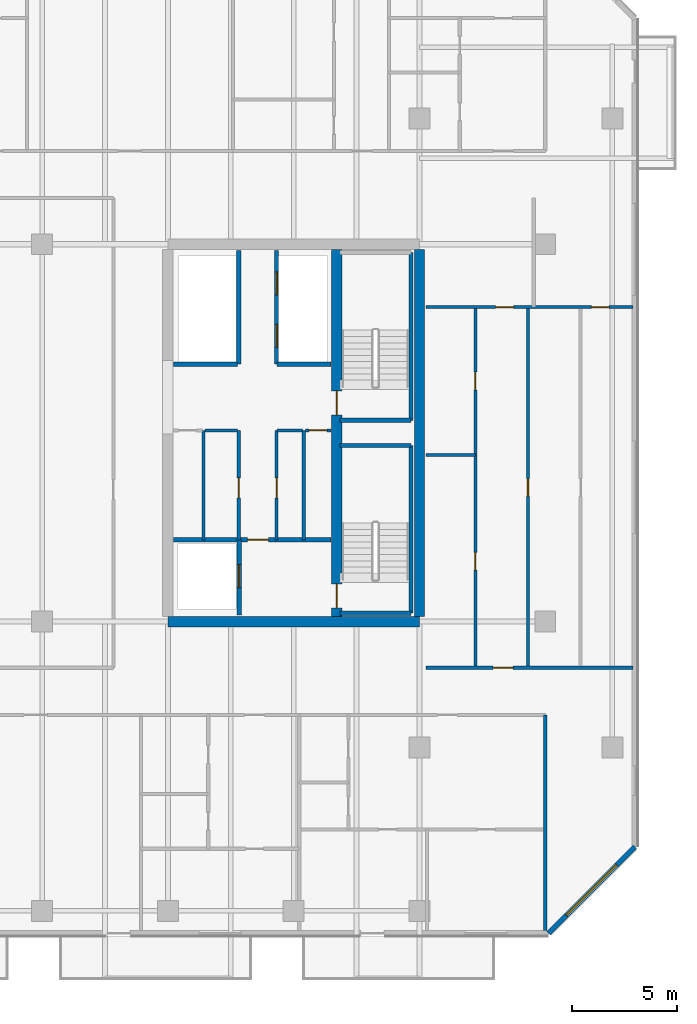
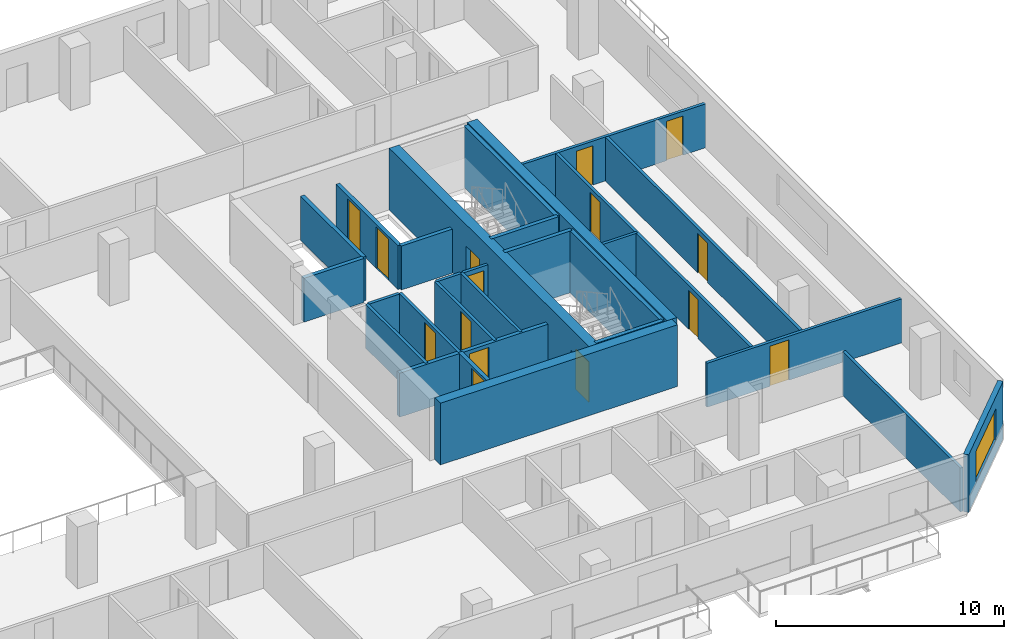
# One storey, part 15 of 23: 28 walls, 15 doors, 1 window, 16 openings.
"""IFC4 building model written with IfcOpenShell, lengths in metres."""

from ifc_helpers import new_model, si_unit, direction, frame, frame_2d, origin, place, context, subcontext, project, spatial, rectangle, extrude, material, layer, layer_set, type_object, element, fill, save


model = new_model("IFC4")

# Units and contexts
model_context = context("Model", 3, precision=1e-05, world=origin(), true_north=direction((0.0, 1.0)))
body_context = subcontext(model_context, "Body", "Model", "MODEL_VIEW")
ifc_project = project(units=[si_unit("LENGTHUNIT", "METRE"), si_unit("AREAUNIT", "SQUARE_METRE"), si_unit("VOLUMEUNIT", "CUBIC_METRE"), si_unit("PLANEANGLEUNIT", "RADIAN"), si_unit("MASSUNIT", "GRAM", prefix="KILO")], contexts=[model_context])

# Site, building, storey
site_placement = place(None, origin())
site = spatial("IfcSite", under=ifc_project, at=site_placement, CompositionType="ELEMENT")
building_placement = place(site_placement, origin())
building = spatial("IfcBuilding", under=site, at=building_placement, Name="Tanjung Sevakor Pilgrim Tower", CompositionType="ELEMENT")
storey_placement = place(building_placement, frame((0.0, 0.0, 85.469970703125)))
storey = spatial("IfcBuildingStorey", under=building, at=storey_placement, Name="L23", CompositionType="ELEMENT", Elevation=85.469970703125)

# Walls
ifc_material_1 = material(Name="Concrete C60/75", Category="concrete")
ifc_layer_1 = layer(ifc_material_1, 0.5)
ifc_layer_set_1 = layer_set([ifc_layer_1], Name="WALL-CW-500")
wall_type_1 = type_object("IfcWallType", Name="WALL-CW-500", PredefinedType="SHEAR", material=ifc_layer_set_1)
wall_1_placement = place(storey_placement, frame((78.0, 24.60009765625, 0.0), z_axis=(0.0, 0.0, 1.0), x_axis=(1.0, 0.0, 0.0)))
element("IfcWall", 1, at=wall_1_placement, inside=storey, type_object=wall_type_1, Name="L23 E Core South Shear Wall", PredefinedType="SHEAR", context=body_context, shape_type="SweptSolid", body=[
    extrude(rectangle(XDim=12.0, YDim=0.5, at=frame_2d((6.0, 0.0))), origin(), (0.0, 0.0, 1.0), 3.300048828125),
])
wall_2_placement = place(storey_placement, frame((90.0, 24.85009765625, 0.0), z_axis=(0.0, 0.0, 1.0), x_axis=(0.0, 1.0, 0.0)))
element("IfcWall", 2, at=wall_2_placement, inside=storey, type_object=wall_type_1, Name="L23 E Core Outer Shear Wall", PredefinedType="SHEAR", context=body_context, shape_type="SweptSolid", body=[
    extrude(rectangle(XDim=17.5, YDim=0.5, at=frame_2d((8.75, 0.0))), origin(), (0.0, 0.0, 1.0), 3.300048828125),
])

# Wall, openings, doors
wall_3_placement = place(storey_placement, frame((86.050048828125, 24.85009765625, 0.0), z_axis=(0.0, 0.0, 1.0), x_axis=(0.0, 1.0, 0.0)))
wall_3 = element("IfcWall", 3, at=wall_3_placement, inside=storey, type_object=wall_type_1, Name="L23 E Core Stair Spine Wall", PredefinedType="SHEAR", context=body_context, shape_type="SweptSolid", body=[
    extrude(rectangle(XDim=17.5, YDim=0.5, at=frame_2d((8.75, 0.0))), origin(), (0.0, 0.0, 1.0), 3.300048828125),
])
opening_1_placement = place(wall_3_placement, frame((0.39990234375, 0.0, 0.0)))
opening_1 = element("IfcOpeningElement", 4, at=opening_1_placement, cuts=wall_3, Name="Opening ID-ST1", PredefinedType="OPENING", context=body_context, shape_type="SweptSolid", body=[
    extrude(rectangle(XDim=1.14990234375, YDim=2.14990234375, at=frame_2d((0.574951171875, 1.074951171875))), frame((0.0, 0.260009765625, 0.0), z_axis=(0.0, -1.0, 0.0), x_axis=(1.0, 0.0, 0.0)), (0.0, 0.0, 1.0), 0.52001953125),
])
opening_2_placement = place(wall_3_placement, frame((9.60009765625, 0.0, 0.0)))
opening_2 = element("IfcOpeningElement", 5, at=opening_2_placement, cuts=wall_3, Name="Opening ID-ST1", PredefinedType="OPENING", context=body_context, shape_type="SweptSolid", body=[
    extrude(rectangle(XDim=1.14990234375, YDim=2.14990234375, at=frame_2d((0.574951171875, 1.074951171875))), frame((0.0, 0.260009765625, 0.0), z_axis=(0.0, -1.0, 0.0), x_axis=(1.0, 0.0, 0.0)), (0.0, 0.0, 1.0), 0.52001953125),
])
ifc_material_2 = material(Name="Fire-Rated Steel S355J2", Category="steel")
door_type_1 = type_object("IfcDoorType", Name="DT-FIRE-1150", OperationType="NOTDEFINED", PredefinedType="DOOR", material=ifc_material_2)
door_1_placement = place(opening_1_placement, origin())
door_1 = element("IfcDoor", 6, at=door_1_placement, inside=storey, type_object=door_type_1, Name="L23 TS-E1 Stair Fire Door", OperationType="SINGLE_SWING_LEFT", OverallHeight=2.14990234375, OverallWidth=1.14990234375, PredefinedType="DOOR", context=body_context, shape_type="SweptSolid", body=[
    extrude(rectangle(XDim=1.14990234375, YDim=2.14990234375, at=frame_2d((0.574951171875, 1.074951171875))), frame((0.0, 0.02490234375, 0.0), z_axis=(0.0, -1.0, 0.0), x_axis=(1.0, 0.0, 0.0)), (0.0, 0.0, 1.0), 0.050048828125),
])
fill(opening_1, door_1)
door_2_placement = place(opening_2_placement, origin())
door_2 = element("IfcDoor", 7, at=door_2_placement, inside=storey, type_object=door_type_1, Name="L23 TS-E2 Stair Fire Door", OperationType="SINGLE_SWING_RIGHT", OverallHeight=2.14990234375, OverallWidth=1.14990234375, PredefinedType="DOOR", context=body_context, shape_type="SweptSolid", body=[
    extrude(rectangle(XDim=1.14990234375, YDim=2.14990234375, at=frame_2d((0.574951171875, 1.074951171875))), frame((0.0, 0.02490234375, 0.0), z_axis=(0.0, -1.0, 0.0), x_axis=(1.0, 0.0, 0.0)), (0.0, 0.0, 1.0), 0.050048828125),
])
fill(opening_2, door_2)

# Wall
ifc_material_3 = material(Name="Concrete C40/50", Category="concrete")
ifc_layer_2 = layer(ifc_material_3, 0.14990234375)
ifc_layer_set_2 = layer_set([ifc_layer_2], Name="WT-COMP-150")
wall_type_2 = type_object("IfcWallType", Name="WT-COMP-150", PredefinedType="SOLIDWALL", material=ifc_layer_set_2)
wall_4_placement = place(storey_placement, frame((84.47998046875, 28.5, 0.0), z_axis=(0.0, 0.0, 1.0), x_axis=(0.0, 1.0, 0.0)))
element("IfcWall", 8, at=wall_4_placement, inside=storey, type_object=wall_type_2, Name="L23 Partition IW-L23-017", PredefinedType="SOLIDWALL", context=body_context, shape_type="SweptSolid", body=[
    extrude(rectangle(XDim=5.219970703125, YDim=0.14990234375, at=frame_2d((2.60986328125, 0.0))), origin(), (0.0, 0.0, 1.0), 2.35009765625),
])

# Wall, opening, door
wall_5_placement = place(storey_placement, frame((84.550048828125, 33.719970703125, 0.0), z_axis=(0.0, 0.0, 1.0), x_axis=(1.0, 0.0, 0.0)))
wall_5 = element("IfcWall", 9, at=wall_5_placement, inside=storey, type_object=wall_type_2, Name="L23 Partition IW-L23-018", PredefinedType="SOLIDWALL", context=body_context, shape_type="SweptSolid", body=[
    extrude(rectangle(XDim=1.22998046875, YDim=0.14990234375, at=frame_2d((0.614990234375, 0.0))), origin(), (0.0, 0.0, 1.0), 2.35009765625),
])
opening_3_placement = place(wall_5_placement, frame((0.179931640625, 0.0, 0.0)))
opening_3 = element("IfcOpeningElement", 10, at=opening_3_placement, cuts=wall_5, Name="Opening ID-FD3", PredefinedType="OPENING", context=body_context, shape_type="SweptSolid", body=[
    extrude(rectangle(XDim=0.85009765625, YDim=2.10009765625, at=frame_2d((0.425048828125, 1.050048828125))), frame((0.0, 0.0849609375, 0.0), z_axis=(0.0, -1.0, 0.0), x_axis=(1.0, 0.0, 0.0)), (0.0, 0.0, 1.0), 0.169921875),
])
ifc_material_4 = material(Name="Fire-Rated Timber", Category="wood")
door_type_2 = type_object("IfcDoorType", Name="DT-FIRE-850", OperationType="NOTDEFINED", PredefinedType="DOOR", material=ifc_material_4)
door_3_placement = place(opening_3_placement, origin())
door_3 = element("IfcDoor", 11, at=door_3_placement, inside=storey, type_object=door_type_2, Name="L23 Cleaner Store Door", OperationType="SINGLE_SWING_LEFT", OverallHeight=2.10009765625, OverallWidth=0.85009765625, PredefinedType="DOOR", context=body_context, shape_type="SweptSolid", body=[
    extrude(rectangle(XDim=0.85009765625, YDim=2.10009765625, at=frame_2d((0.425048828125, 1.050048828125))), frame((0.0, 0.02490234375, 0.0), z_axis=(0.0, -1.0, 0.0), x_axis=(1.0, 0.0, 0.0)), (0.0, 0.0, 1.0), 0.050048828125),
])
fill(opening_3, door_3)

# Wall
wall_6_placement = place(storey_placement, frame((83.199951171875, 33.719970703125, 0.0), z_axis=(0.0, 0.0, 1.0), x_axis=(1.0, 0.0, 0.0)))
element("IfcWall", 12, at=wall_6_placement, inside=storey, type_object=wall_type_2, Name="L23 Partition IW-L23-019", PredefinedType="SOLIDWALL", context=body_context, shape_type="SweptSolid", body=[
    extrude(rectangle(XDim=1.219970703125, YDim=0.14990234375, at=frame_2d((0.60986328125, 0.0))), origin(), (0.0, 0.0, 1.0), 2.35009765625),
])

# Wall, opening, door
wall_7_placement = place(storey_placement, frame((83.179931640625, 28.5, 0.0), z_axis=(0.0, 0.0, 1.0), x_axis=(0.0, 1.0, 0.0)))
wall_7 = element("IfcWall", 13, at=wall_7_placement, inside=storey, type_object=wall_type_2, Name="L23 Partition IW-L23-020", PredefinedType="SOLIDWALL", context=body_context, shape_type="SweptSolid", body=[
    extrude(rectangle(XDim=5.219970703125, YDim=0.14990234375, at=frame_2d((2.60986328125, 0.0))), origin(), (0.0, 0.0, 1.0), 2.35009765625),
])
opening_4_placement = place(wall_7_placement, frame((2.0, 0.0, 0.0)))
opening_4 = element("IfcOpeningElement", 14, at=opening_4_placement, cuts=wall_7, Name="Opening ID-FD2", PredefinedType="OPENING", context=body_context, shape_type="SweptSolid", body=[
    extrude(rectangle(XDim=0.949951171875, YDim=2.14990234375, at=frame_2d((0.47509765625, 1.074951171875))), frame((0.0, 0.0849609375, 0.0), z_axis=(0.0, -1.0, 0.0), x_axis=(1.0, 0.0, 0.0)), (0.0, 0.0, 1.0), 0.169921875),
])
ifc_material_5 = material(Name="Fire-Rated Timber", Category="wood")
door_type_3 = type_object("IfcDoorType", Name="DT-FIRE-950", OperationType="NOTDEFINED", PredefinedType="DOOR", material=ifc_material_5)
door_4_placement = place(opening_4_placement, origin())
door_4 = element("IfcDoor", 15, at=door_4_placement, inside=storey, type_object=door_type_3, Name="L23 Housekeeping Pantry Door", OperationType="SINGLE_SWING_RIGHT", OverallHeight=2.14990234375, OverallWidth=0.949951171875, PredefinedType="DOOR", context=body_context, shape_type="SweptSolid", body=[
    extrude(rectangle(XDim=0.949951171875, YDim=2.14990234375, at=frame_2d((0.47509765625, 1.074951171875))), frame((0.0, 0.02490234375, 0.0), z_axis=(0.0, -1.0, 0.0), x_axis=(1.0, 0.0, 0.0)), (0.0, 0.0, 1.0), 0.050048828125),
])
fill(opening_4, door_4)

# Walls
wall_8_placement = place(storey_placement, frame((79.699951171875, 28.5, 0.0), z_axis=(0.0, 0.0, 1.0), x_axis=(0.0, 1.0, 0.0)))
element("IfcWall", 16, at=wall_8_placement, inside=storey, type_object=wall_type_2, Name="L23 Partition IW-L23-021", PredefinedType="SOLIDWALL", context=body_context, shape_type="SweptSolid", body=[
    extrude(rectangle(XDim=5.219970703125, YDim=0.14990234375, at=frame_2d((2.60986328125, 0.0))), origin(), (0.0, 0.0, 1.0), 2.35009765625),
])
wall_9_placement = place(storey_placement, frame((79.760009765625, 33.719970703125, 0.0), z_axis=(0.0, 0.0, 1.0), x_axis=(1.0, 0.0, 0.0)))
element("IfcWall", 17, at=wall_9_placement, inside=storey, type_object=wall_type_2, Name="L23 Partition IW-L23-022", PredefinedType="SOLIDWALL", context=body_context, shape_type="SweptSolid", body=[
    extrude(rectangle(XDim=1.56005859375, YDim=0.14990234375, at=frame_2d((0.780029296875, 0.0))), origin(), (0.0, 0.0, 1.0), 2.35009765625),
])

# Wall, opening, door
wall_10_placement = place(storey_placement, frame((81.3798828125, 28.5, 0.0), z_axis=(0.0, 0.0, 1.0), x_axis=(0.0, 1.0, 0.0)))
wall_10 = element("IfcWall", 18, at=wall_10_placement, inside=storey, type_object=wall_type_2, Name="L23 Partition IW-L23-024", PredefinedType="SOLIDWALL", context=body_context, shape_type="SweptSolid", body=[
    extrude(rectangle(XDim=5.219970703125, YDim=0.14990234375, at=frame_2d((2.60986328125, 0.0))), origin(), (0.0, 0.0, 1.0), 2.35009765625),
])
opening_5_placement = place(wall_10_placement, frame((2.0, 0.0, 0.0)))
opening_5 = element("IfcOpeningElement", 19, at=opening_5_placement, cuts=wall_10, Name="Opening ID-FD2", PredefinedType="OPENING", context=body_context, shape_type="SweptSolid", body=[
    extrude(rectangle(XDim=0.949951171875, YDim=2.14990234375, at=frame_2d((0.47509765625, 1.074951171875))), frame((0.0, 0.0849609375, 0.0), z_axis=(0.0, -1.0, 0.0), x_axis=(1.0, 0.0, 0.0)), (0.0, 0.0, 1.0), 0.169921875),
])
door_5_placement = place(opening_5_placement, origin())
door_5 = element("IfcDoor", 20, at=door_5_placement, inside=storey, type_object=door_type_3, Name="L23 Accessible WC Door", OperationType="SINGLE_SWING_RIGHT", OverallHeight=2.14990234375, OverallWidth=0.949951171875, PredefinedType="DOOR", context=body_context, shape_type="SweptSolid", body=[
    extrude(rectangle(XDim=0.949951171875, YDim=2.14990234375, at=frame_2d((0.47509765625, 1.074951171875))), frame((0.0, 0.02490234375, 0.0), z_axis=(0.0, -1.0, 0.0), x_axis=(1.0, 0.0, 0.0)), (0.0, 0.0, 1.0), 0.050048828125),
])
fill(opening_5, door_5)

wall_11_placement = place(storey_placement, frame((90.320068359375, 22.39990234375, 0.0), z_axis=(0.0, 0.0, 1.0), x_axis=(1.0, 0.0, 0.0)))
wall_11 = element("IfcWall", 21, at=wall_11_placement, inside=storey, type_object=wall_type_2, Name="L23 Partition IW-L23-044", PredefinedType="SOLIDWALL", context=body_context, shape_type="SweptSolid", body=[
    extrude(rectangle(XDim=9.869873046875, YDim=0.14990234375, at=frame_2d((4.93505859375, 0.0))), origin(), (0.0, 0.0, 1.0), 2.35009765625),
])
opening_6_placement = place(wall_11_placement, frame((3.193359375, 0.0, 0.0)))
opening_6 = element("IfcOpeningElement", 22, at=opening_6_placement, cuts=wall_11, Name="Opening ID-FD2", PredefinedType="OPENING", context=body_context, shape_type="SweptSolid", body=[
    extrude(rectangle(XDim=0.949951171875, YDim=2.14990234375, at=frame_2d((0.47509765625, 1.074951171875))), frame((0.0, 0.0849609375, 0.0), z_axis=(0.0, -1.0, 0.0), x_axis=(1.0, 0.0, 0.0)), (0.0, 0.0, 1.0), 0.169921875),
])
door_6_placement = place(opening_6_placement, origin())
door_6 = element("IfcDoor", 23, at=door_6_placement, inside=storey, type_object=door_type_3, Name="Suite Entrance", OperationType="SINGLE_SWING_RIGHT", OverallHeight=2.14990234375, OverallWidth=0.949951171875, PredefinedType="DOOR", context=body_context, shape_type="SweptSolid", body=[
    extrude(rectangle(XDim=0.949951171875, YDim=2.14990234375, at=frame_2d((0.47509765625, 1.074951171875))), frame((0.0, 0.02490234375, 0.0), z_axis=(0.0, -1.0, 0.0), x_axis=(1.0, 0.0, 0.0)), (0.0, 0.0, 1.0), 0.050048828125),
])
fill(opening_6, door_6)

# Wall
wall_12_placement = place(storey_placement, frame((96.0, 9.85009765625, 0.0), z_axis=(0.0, 0.0, 1.0), x_axis=(0.0, 1.0, 0.0)))
element("IfcWall", 24, at=wall_12_placement, inside=storey, type_object=wall_type_2, Name="L23 Partition IW-L23-064", PredefinedType="SOLIDWALL", context=body_context, shape_type="SweptSolid", body=[
    extrude(rectangle(XDim=10.2998046875, YDim=0.14990234375, at=frame_2d((5.14990234375, 0.0))), origin(), (0.0, 0.0, 1.0), 2.35009765625),
])

# Wall, opening, window
ifc_material_6 = material(Name="Precast concrete C45/55", Category="concrete")
ifc_layer_3 = layer(ifc_material_6, 0.25)
ifc_layer_set_3 = layer_set([ifc_layer_3], Name="WT-EW-STN3")
wall_type_3 = type_object("IfcWallType", Name="WT-EW-STN3", PredefinedType="SOLIDWALL", material=ifc_layer_set_3)
wall_13_placement = place(storey_placement, frame((96.148193359375, 9.72509765625, 0.0), z_axis=(0.0, 0.0, 1.0), x_axis=(0.707106781187, 0.707106781187, 0.0)))
wall_13 = element("IfcWall", 25, at=wall_13_placement, inside=storey, type_object=wall_type_3, Name="L23 MAIN Sculpted Corner Wall 5", PredefinedType="SOLIDWALL", context=body_context, shape_type="SweptSolid", body=[
    extrude(rectangle(XDim=5.8359375, YDim=0.25, at=frame_2d((2.91796875, 0.0))), origin(), (0.0, 0.0, 1.0), 3.080078125),
])
opening_7_placement = place(wall_13_placement, frame((1.218017578125, 0.0, 0.780029296875)))
opening_7 = element("IfcOpeningElement", 26, at=opening_7_placement, cuts=wall_13, Name="Opening WN-CHM-1660", PredefinedType="OPENING", context=body_context, shape_type="SweptSolid", body=[
    extrude(rectangle(XDim=3.39990234375, YDim=1.659912109375, at=frame_2d((1.699951171875, 0.830078125))), frame((0.0, 0.135009765625, 0.0), z_axis=(0.0, -1.0, 0.0), x_axis=(1.0, 0.0, 0.0)), (0.0, 0.0, 1.0), 0.27001953125),
])
ifc_material_7 = material(Name="Thermally Broken Aluminium and Low-E Glass", Category="aluminium")
window_type = type_object("IfcWindowType", Name="WTYP-WN-CHM-1660", PartitioningType="DOUBLE_PANEL_VERTICAL", PredefinedType="WINDOW", material=ifc_material_7)
window_placement = place(opening_7_placement, origin())
window = element("IfcWindow", 27, at=window_placement, inside=storey, type_object=window_type, Name="L23 Facade Window 01", OverallHeight=1.659912109375, OverallWidth=3.39990234375, PartitioningType="SINGLE_PANEL", PredefinedType="WINDOW", context=body_context, shape_type="SweptSolid", body=[
    extrude(rectangle(XDim=3.39990234375, YDim=1.659912109375, at=frame_2d((1.699951171875, 0.830078125))), frame((0.0, 0.030029296875, 0.0), z_axis=(0.0, -1.0, 0.0), x_axis=(1.0, 0.0, 0.0)), (0.0, 0.0, 1.0), 0.06005859375),
])
fill(opening_7, window)

# Walls
ifc_material_8 = material(Name="Concrete C40/50", Category="concrete")
ifc_layer_4 = layer(ifc_material_8, 0.199951171875)
ifc_layer_set_4 = layer_set([ifc_layer_4], Name="WT-FIRE-200")
wall_type_4 = type_object("IfcWallType", Name="WT-FIRE-200", PredefinedType="SOLIDWALL", material=ifc_layer_set_4)
wall_14_placement = place(storey_placement, frame((86.199951171875, 25.0, 0.0), z_axis=(0.0, 0.0, 1.0), x_axis=(1.0, 0.0, 0.0)))
element("IfcWall", 28, at=wall_14_placement, inside=storey, type_object=wall_type_4, Name="L23 TS-E1 Shaft Wall 1", PredefinedType="SOLIDWALL", context=body_context, shape_type="SweptSolid", body=[
    extrude(rectangle(XDim=3.400146484375, YDim=0.199951171875, at=frame_2d((1.7001953125, 0.0))), origin(), (0.0, 0.0, 1.0), 3.300048828125),
])
wall_15_placement = place(storey_placement, frame((89.60009765625, 25.0, 0.0), z_axis=(0.0, 0.0, 1.0), x_axis=(0.0, 1.0, 0.0)))
element("IfcWall", 29, at=wall_15_placement, inside=storey, type_object=wall_type_4, Name="L23 TS-E1 Shaft Wall 2", PredefinedType="SOLIDWALL", context=body_context, shape_type="SweptSolid", body=[
    extrude(rectangle(XDim=8.0, YDim=0.199951171875, at=frame_2d((4.0, 0.0))), origin(), (0.0, 0.0, 1.0), 3.300048828125),
])
for number, where, z_axis, x_axis, name in (
    (30, (89.60009765625, 33.0, 0.0), (0.0, 0.0, 1.0), (-1.0, 0.0, 0.0), "L23 TS-E1 Shaft Wall 3"),
    (31, (86.199951171875, 34.199951171875, 0.0), (0.0, 0.0, 1.0), (1.0, 0.0, 0.0), "L23 TS-E2 Shaft Wall 1"),
):
    element("IfcWall", number, at=place(storey_placement, frame(where, z_axis=z_axis, x_axis=x_axis)), inside=storey, type_object=wall_type_4, Name=name, PredefinedType="SOLIDWALL", context=body_context, shape_type="SweptSolid", body=[
        extrude(rectangle(XDim=3.400146484375, YDim=0.199951171875, at=frame_2d((1.7001953125, 0.0))), origin(), (0.0, 0.0, 1.0), 3.300048828125),
    ])
wall_16_placement = place(storey_placement, frame((89.60009765625, 34.199951171875, 0.0), z_axis=(0.0, 0.0, 1.0), x_axis=(0.0, 1.0, 0.0)))
element("IfcWall", 32, at=wall_16_placement, inside=storey, type_object=wall_type_4, Name="L23 TS-E2 Shaft Wall 2", PredefinedType="SOLIDWALL", context=body_context, shape_type="SweptSolid", body=[
    extrude(rectangle(XDim=8.0, YDim=0.199951171875, at=frame_2d((4.0, 0.0))), origin(), (0.0, 0.0, 1.0), 3.300048828125),
])

# Wall, opening, door
ifc_material_9 = material(Name="Concrete C40/50", Category="concrete")
ifc_layer_5 = layer(ifc_material_9, 0.199951171875)
ifc_layer_set_5 = layer_set([ifc_layer_5], Name="WT-FPRT-200")
wall_type_5 = type_object("IfcWallType", Name="WT-FPRT-200", PredefinedType="SOLIDWALL", material=ifc_layer_set_5)
wall_17_placement = place(storey_placement, frame((81.39990234375, 24.919921875, 0.0), z_axis=(0.0, 0.0, 1.0), x_axis=(0.0, 1.0, 0.0)))
wall_17 = element("IfcWall", 33, at=wall_17_placement, inside=storey, type_object=wall_type_5, Name="L23 Partition IW-L23-015", PredefinedType="SOLIDWALL", context=body_context, shape_type="SweptSolid", body=[
    extrude(rectangle(XDim=3.580078125, YDim=0.199951171875, at=frame_2d((1.7900390625, 0.0))), origin(), (0.0, 0.0, 1.0), 2.35009765625),
])
opening_8_placement = place(wall_17_placement, frame((1.300048828125, 0.0, 0.0)))
opening_8 = element("IfcOpeningElement", 34, at=opening_8_placement, cuts=wall_17, Name="Opening LD-1100", PredefinedType="OPENING", context=body_context, shape_type="SweptSolid", body=[
    extrude(rectangle(XDim=1.10009765625, YDim=2.199951171875, at=frame_2d((0.550048828125, 1.10009765625))), frame((0.0, 0.10986328125, 0.0), z_axis=(0.0, -1.0, 0.0), x_axis=(1.0, 0.0, 0.0)), (0.0, 0.0, 1.0), 0.219970703125),
])
ifc_material_10 = material(Name="Brushed Stainless Steel S355J2", Category="steel")
door_type_4 = type_object("IfcDoorType", Name="DT-LIFT-1100", OperationType="SLIDING_TO_LEFT", PredefinedType="DOOR", material=ifc_material_10)
door_7_placement = place(opening_8_placement, origin())
door_7 = element("IfcDoor", 35, at=door_7_placement, inside=storey, type_object=door_type_4, Name="LD-FL-E", OperationType="SLIDING_TO_LEFT", OverallHeight=2.199951171875, OverallWidth=1.10009765625, PredefinedType="DOOR", context=body_context, shape_type="SweptSolid", body=[
    extrude(rectangle(XDim=1.10009765625, YDim=2.199951171875, at=frame_2d((0.550048828125, 1.10009765625))), frame((0.0, 0.02490234375, 0.0), z_axis=(0.0, -1.0, 0.0), x_axis=(1.0, 0.0, 0.0)), (0.0, 0.0, 1.0), 0.050048828125),
])
fill(opening_8, door_7)

wall_18_placement = place(storey_placement, frame((78.27001953125, 28.5, 0.0), z_axis=(0.0, 0.0, 1.0), x_axis=(1.0, 0.0, 0.0)))
wall_18 = element("IfcWall", 36, at=wall_18_placement, inside=storey, type_object=wall_type_5, Name="L23 Partition IW-L23-016", PredefinedType="SOLIDWALL", context=body_context, shape_type="SweptSolid", body=[
    extrude(rectangle(XDim=7.510009765625, YDim=0.199951171875, at=frame_2d((3.7548828125, 0.0))), origin(), (0.0, 0.0, 1.0), 2.35009765625),
])
opening_9_placement = place(wall_18_placement, frame((3.530029296875, 0.0, 0.0)))
opening_9 = element("IfcOpeningElement", 37, at=opening_9_placement, cuts=wall_18, Name="Opening ID-FD1", PredefinedType="OPENING", context=body_context, shape_type="SweptSolid", body=[
    extrude(rectangle(XDim=1.0, YDim=2.14990234375, at=frame_2d((0.5, 1.074951171875))), frame((0.0, 0.10986328125, 0.0), z_axis=(0.0, -1.0, 0.0), x_axis=(1.0, 0.0, 0.0)), (0.0, 0.0, 1.0), 0.219970703125),
])
ifc_material_11 = material(Name="Fire-Rated Steel S355J2", Category="steel")
door_type_5 = type_object("IfcDoorType", Name="DT-FIRE-1000", OperationType="NOTDEFINED", PredefinedType="DOOR", material=ifc_material_11)
door_8_placement = place(opening_9_placement, origin())
door_8 = element("IfcDoor", 38, at=door_8_placement, inside=storey, type_object=door_type_5, Name="Fire Lobby Door E", OperationType="SINGLE_SWING_RIGHT", OverallHeight=2.14990234375, OverallWidth=1.0, PredefinedType="DOOR", context=body_context, shape_type="SweptSolid", body=[
    extrude(rectangle(XDim=1.0, YDim=2.14990234375, at=frame_2d((0.5, 1.074951171875))), frame((0.0, 0.02490234375, 0.0), z_axis=(0.0, -1.0, 0.0), x_axis=(1.0, 0.0, 0.0)), (0.0, 0.0, 1.0), 0.050048828125),
])
fill(opening_9, door_8)

# Wall
wall_19_placement = place(storey_placement, frame((83.199951171875, 36.8798828125, 0.0), z_axis=(0.0, 0.0, 1.0), x_axis=(1.0, 0.0, 0.0)))
element("IfcWall", 39, at=wall_19_placement, inside=storey, type_object=wall_type_5, Name="L23 Partition IW-L23-025", PredefinedType="SOLIDWALL", context=body_context, shape_type="SweptSolid", body=[
    extrude(rectangle(XDim=2.580078125, YDim=0.199951171875, at=frame_2d((1.2900390625, 0.0))), origin(), (0.0, 0.0, 1.0), 2.35009765625),
])

# Wall, openings, doors
wall_20_placement = place(storey_placement, frame((83.179931640625, 36.8798828125, 0.0), z_axis=(0.0, 0.0, 1.0), x_axis=(0.0, 1.0, 0.0)))
wall_20 = element("IfcWall", 40, at=wall_20_placement, inside=storey, type_object=wall_type_5, Name="L23 Partition IW-L23-026", PredefinedType="SOLIDWALL", context=body_context, shape_type="SweptSolid", body=[
    extrude(rectangle(XDim=5.420166015625, YDim=0.199951171875, at=frame_2d((2.7099609375, 0.0))), origin(), (0.0, 0.0, 1.0), 2.35009765625),
])
opening_10_placement = place(wall_20_placement, frame((0.800048828125, 0.0, 0.0)))
opening_10 = element("IfcOpeningElement", 41, at=opening_10_placement, cuts=wall_20, Name="Opening LD-1100", PredefinedType="OPENING", context=body_context, shape_type="SweptSolid", body=[
    extrude(rectangle(XDim=1.10009765625, YDim=2.199951171875, at=frame_2d((0.550048828125, 1.10009765625))), frame((0.0, 0.10986328125, 0.0), z_axis=(0.0, -1.0, 0.0), x_axis=(1.0, 0.0, 0.0)), (0.0, 0.0, 1.0), 0.219970703125),
])
opening_11_placement = place(wall_20_placement, frame((3.300048828125, 0.0, 0.0)))
opening_11 = element("IfcOpeningElement", 42, at=opening_11_placement, cuts=wall_20, Name="Opening LD-1100", PredefinedType="OPENING", context=body_context, shape_type="SweptSolid", body=[
    extrude(rectangle(XDim=1.10009765625, YDim=2.199951171875, at=frame_2d((0.550048828125, 1.10009765625))), frame((0.0, 0.10986328125, 0.0), z_axis=(0.0, -1.0, 0.0), x_axis=(1.0, 0.0, 0.0)), (0.0, 0.0, 1.0), 0.219970703125),
])
door_9_placement = place(opening_10_placement, origin())
door_9 = element("IfcDoor", 43, at=door_9_placement, inside=storey, type_object=door_type_4, Name="LD-PLM1-E", OperationType="SLIDING_TO_LEFT", OverallHeight=2.199951171875, OverallWidth=1.10009765625, PredefinedType="DOOR", context=body_context, shape_type="SweptSolid", body=[
    extrude(rectangle(XDim=1.10009765625, YDim=2.199951171875, at=frame_2d((0.550048828125, 1.10009765625))), frame((0.0, 0.02490234375, 0.0), z_axis=(0.0, -1.0, 0.0), x_axis=(1.0, 0.0, 0.0)), (0.0, 0.0, 1.0), 0.050048828125),
])
fill(opening_10, door_9)
door_10_placement = place(opening_11_placement, origin())
door_10 = element("IfcDoor", 44, at=door_10_placement, inside=storey, type_object=door_type_4, Name="LD-PLM2-E", OperationType="SLIDING_TO_RIGHT", OverallHeight=2.199951171875, OverallWidth=1.10009765625, PredefinedType="DOOR", context=body_context, shape_type="SweptSolid", body=[
    extrude(rectangle(XDim=1.10009765625, YDim=2.199951171875, at=frame_2d((0.550048828125, 1.10009765625))), frame((0.0, 0.02490234375, 0.0), z_axis=(0.0, -1.0, 0.0), x_axis=(1.0, 0.0, 0.0)), (0.0, 0.0, 1.0), 0.050048828125),
])
fill(opening_11, door_10)

# Walls
wall_21_placement = place(storey_placement, frame((78.27001953125, 36.8798828125, 0.0), z_axis=(0.0, 0.0, 1.0), x_axis=(1.0, 0.0, 0.0)))
element("IfcWall", 45, at=wall_21_placement, inside=storey, type_object=wall_type_5, Name="L23 Partition IW-L23-027", PredefinedType="SOLIDWALL", context=body_context, shape_type="SweptSolid", body=[
    extrude(rectangle(XDim=3.050048828125, YDim=0.199951171875, at=frame_2d((1.52490234375, 0.0))), origin(), (0.0, 0.0, 1.0), 2.35009765625),
])
wall_22_placement = place(storey_placement, frame((81.3798828125, 36.8798828125, 0.0), z_axis=(0.0, 0.0, 1.0), x_axis=(0.0, 1.0, 0.0)))
element("IfcWall", 46, at=wall_22_placement, inside=storey, type_object=wall_type_5, Name="L23 Partition IW-L23-028", PredefinedType="SOLIDWALL", context=body_context, shape_type="SweptSolid", body=[
    extrude(rectangle(XDim=5.420166015625, YDim=0.199951171875, at=frame_2d((2.7099609375, 0.0))), origin(), (0.0, 0.0, 1.0), 2.35009765625),
])

# Wall, opening, door
ifc_material_12 = material(Name="Gypsum Board Partition", Category="gypsum board")
ifc_layer_6 = layer(ifc_material_12, 0.14990234375)
ifc_layer_set_6 = layer_set([ifc_layer_6], Name="WT-PART-150")
wall_type_6 = type_object("IfcWallType", Name="WT-PART-150", PredefinedType="PARTITIONING", material=ifc_layer_set_6)
wall_23_placement = place(storey_placement, frame((95.1767578125, 22.39990234375, 0.0), z_axis=(0.0, 0.0, 1.0), x_axis=(0.0, 1.0, 0.0)))
wall_23 = element("IfcWall", 47, at=wall_23_placement, inside=storey, type_object=wall_type_6, Name="L23 Partition IW-L23-038", PredefinedType="PARTITIONING", context=body_context, shape_type="SweptSolid", body=[
    extrude(rectangle(XDim=17.2001953125, YDim=0.14990234375, at=frame_2d((8.60009765625, 0.0))), origin(), (0.0, 0.0, 1.0), 2.35009765625),
])
opening_12_placement = place(wall_23_placement, frame((8.175048828125, 0.0, 0.0)))
opening_12 = element("IfcOpeningElement", 48, at=opening_12_placement, cuts=wall_23, Name="Opening ID-WC1", PredefinedType="OPENING", context=body_context, shape_type="SweptSolid", body=[
    extrude(rectangle(XDim=0.85009765625, YDim=2.10009765625, at=frame_2d((0.425048828125, 1.050048828125))), frame((0.0, 0.0849609375, 0.0), z_axis=(0.0, -1.0, 0.0), x_axis=(1.0, 0.0, 0.0)), (0.0, 0.0, 1.0), 0.169921875),
])
ifc_material_13 = material(Name="Moisture-Resistant Timber", Category="wood")
door_type_6 = type_object("IfcDoorType", Name="DT-INT-850", OperationType="NOTDEFINED", PredefinedType="DOOR", material=ifc_material_13)
door_11_placement = place(opening_12_placement, origin())
door_11 = element("IfcDoor", 49, at=door_11_placement, inside=storey, type_object=door_type_6, Name="Suite Study Room Door", OperationType="SINGLE_SWING_RIGHT", OverallHeight=2.10009765625, OverallWidth=0.85009765625, PredefinedType="DOOR", context=body_context, shape_type="SweptSolid", body=[
    extrude(rectangle(XDim=0.85009765625, YDim=2.10009765625, at=frame_2d((0.425048828125, 1.050048828125))), frame((0.0, 0.02490234375, 0.0), z_axis=(0.0, -1.0, 0.0), x_axis=(1.0, 0.0, 0.0)), (0.0, 0.0, 1.0), 0.050048828125),
])
fill(opening_12, door_11)

# Wall
wall_24_placement = place(storey_placement, frame((90.320068359375, 32.548095703125, 0.0), z_axis=(0.0, 0.0, 1.0), x_axis=(1.0, 0.0, 0.0)))
element("IfcWall", 50, at=wall_24_placement, inside=storey, type_object=wall_type_6, Name="L23 Partition IW-L23-040", PredefinedType="PARTITIONING", context=body_context, shape_type="SweptSolid", body=[
    extrude(rectangle(XDim=2.349853515625, YDim=0.14990234375, at=frame_2d((1.1748046875, 0.0))), origin(), (0.0, 0.0, 1.0), 2.35009765625),
])

# Wall, openings, doors
wall_25_placement = place(storey_placement, frame((92.669921875, 22.39990234375, 0.0), z_axis=(0.0, 0.0, 1.0), x_axis=(0.0, 1.0, 0.0)))
wall_25 = element("IfcWall", 51, at=wall_25_placement, inside=storey, type_object=wall_type_6, Name="L23 Partition IW-L23-041", PredefinedType="PARTITIONING", context=body_context, shape_type="SweptSolid", body=[
    extrude(rectangle(XDim=17.2001953125, YDim=0.14990234375, at=frame_2d((8.60009765625, 0.0))), origin(), (0.0, 0.0, 1.0), 2.35009765625),
])
opening_13_placement = place(wall_25_placement, frame((4.64892578125, 0.0, 0.0)))
opening_13 = element("IfcOpeningElement", 52, at=opening_13_placement, cuts=wall_25, Name="Opening ID-WC1", PredefinedType="OPENING", context=body_context, shape_type="SweptSolid", body=[
    extrude(rectangle(XDim=0.85009765625, YDim=2.10009765625, at=frame_2d((0.425048828125, 1.050048828125))), frame((0.0, 0.0849609375, 0.0), z_axis=(0.0, -1.0, 0.0), x_axis=(1.0, 0.0, 0.0)), (0.0, 0.0, 1.0), 0.169921875),
])
opening_14_placement = place(wall_25_placement, frame((13.2490234375, 0.0, 0.0)))
opening_14 = element("IfcOpeningElement", 53, at=opening_14_placement, cuts=wall_25, Name="Opening ID-WC1", PredefinedType="OPENING", context=body_context, shape_type="SweptSolid", body=[
    extrude(rectangle(XDim=0.85009765625, YDim=2.10009765625, at=frame_2d((0.425048828125, 1.050048828125))), frame((0.0, 0.0849609375, 0.0), z_axis=(0.0, -1.0, 0.0), x_axis=(1.0, 0.0, 0.0)), (0.0, 0.0, 1.0), 0.169921875),
])
door_12_placement = place(opening_13_placement, origin())
door_12 = element("IfcDoor", 54, at=door_12_placement, inside=storey, type_object=door_type_6, Name="Suite Kitchenette Door", OperationType="SINGLE_SWING_RIGHT", OverallHeight=2.10009765625, OverallWidth=0.85009765625, PredefinedType="DOOR", context=body_context, shape_type="SweptSolid", body=[
    extrude(rectangle(XDim=0.85009765625, YDim=2.10009765625, at=frame_2d((0.425048828125, 1.050048828125))), frame((0.0, 0.02490234375, 0.0), z_axis=(0.0, -1.0, 0.0), x_axis=(1.0, 0.0, 0.0)), (0.0, 0.0, 1.0), 0.050048828125),
])
fill(opening_13, door_12)
door_13_placement = place(opening_14_placement, origin())
door_13 = element("IfcDoor", 55, at=door_13_placement, inside=storey, type_object=door_type_6, Name="Suite Bathroom Door", OperationType="SINGLE_SWING_LEFT", OverallHeight=2.10009765625, OverallWidth=0.85009765625, PredefinedType="DOOR", context=body_context, shape_type="SweptSolid", body=[
    extrude(rectangle(XDim=0.85009765625, YDim=2.10009765625, at=frame_2d((0.425048828125, 1.050048828125))), frame((0.0, 0.02490234375, 0.0), z_axis=(0.0, -1.0, 0.0), x_axis=(1.0, 0.0, 0.0)), (0.0, 0.0, 1.0), 0.050048828125),
])
fill(opening_14, door_13)

wall_26_placement = place(storey_placement, frame((90.320068359375, 39.60009765625, 0.0), z_axis=(0.0, 0.0, 1.0), x_axis=(1.0, 0.0, 0.0)))
wall_26 = element("IfcWall", 56, at=wall_26_placement, inside=storey, type_object=wall_type_6, Name="L23 Partition IW-L23-043", PredefinedType="PARTITIONING", context=body_context, shape_type="SweptSolid", body=[
    extrude(rectangle(XDim=9.869873046875, YDim=0.14990234375, at=frame_2d((4.93505859375, 0.0))), origin(), (0.0, 0.0, 1.0), 2.35009765625),
])
opening_15_placement = place(wall_26_placement, frame((3.316162109375, 0.0, 0.0)))
opening_15 = element("IfcOpeningElement", 57, at=opening_15_placement, cuts=wall_26, Name="Opening ID-WC1", PredefinedType="OPENING", context=body_context, shape_type="SweptSolid", body=[
    extrude(rectangle(XDim=0.85009765625, YDim=2.10009765625, at=frame_2d((0.425048828125, 1.050048828125))), frame((0.0, 0.0849609375, 0.0), z_axis=(0.0, -1.0, 0.0), x_axis=(1.0, 0.0, 0.0)), (0.0, 0.0, 1.0), 0.169921875),
])
opening_16_placement = place(wall_26_placement, frame((7.876220703125, 0.0, 0.0)))
opening_16 = element("IfcOpeningElement", 58, at=opening_16_placement, cuts=wall_26, Name="Opening ID-WC1", PredefinedType="OPENING", context=body_context, shape_type="SweptSolid", body=[
    extrude(rectangle(XDim=0.85009765625, YDim=2.10009765625, at=frame_2d((0.425048828125, 1.050048828125))), frame((0.0, 0.0849609375, 0.0), z_axis=(0.0, -1.0, 0.0), x_axis=(1.0, 0.0, 0.0)), (0.0, 0.0, 1.0), 0.169921875),
])
door_14_placement = place(opening_15_placement, origin())
door_14 = element("IfcDoor", 59, at=door_14_placement, inside=storey, type_object=door_type_6, Name="Suite Bedroom 1 Door", OperationType="SINGLE_SWING_RIGHT", OverallHeight=2.10009765625, OverallWidth=0.85009765625, PredefinedType="DOOR", context=body_context, shape_type="SweptSolid", body=[
    extrude(rectangle(XDim=0.85009765625, YDim=2.10009765625, at=frame_2d((0.425048828125, 1.050048828125))), frame((0.0, 0.02490234375, 0.0), z_axis=(0.0, -1.0, 0.0), x_axis=(1.0, 0.0, 0.0)), (0.0, 0.0, 1.0), 0.050048828125),
])
fill(opening_15, door_14)
door_15_placement = place(opening_16_placement, origin())
door_15 = element("IfcDoor", 60, at=door_15_placement, inside=storey, type_object=door_type_6, Name="Suite Bedroom 2 Door", OperationType="SINGLE_SWING_LEFT", OverallHeight=2.10009765625, OverallWidth=0.85009765625, PredefinedType="DOOR", context=body_context, shape_type="SweptSolid", body=[
    extrude(rectangle(XDim=0.85009765625, YDim=2.10009765625, at=frame_2d((0.425048828125, 1.050048828125))), frame((0.0, 0.02490234375, 0.0), z_axis=(0.0, -1.0, 0.0), x_axis=(1.0, 0.0, 0.0)), (0.0, 0.0, 1.0), 0.050048828125),
])
fill(opening_16, door_15)

save(model, "model.ifc")
